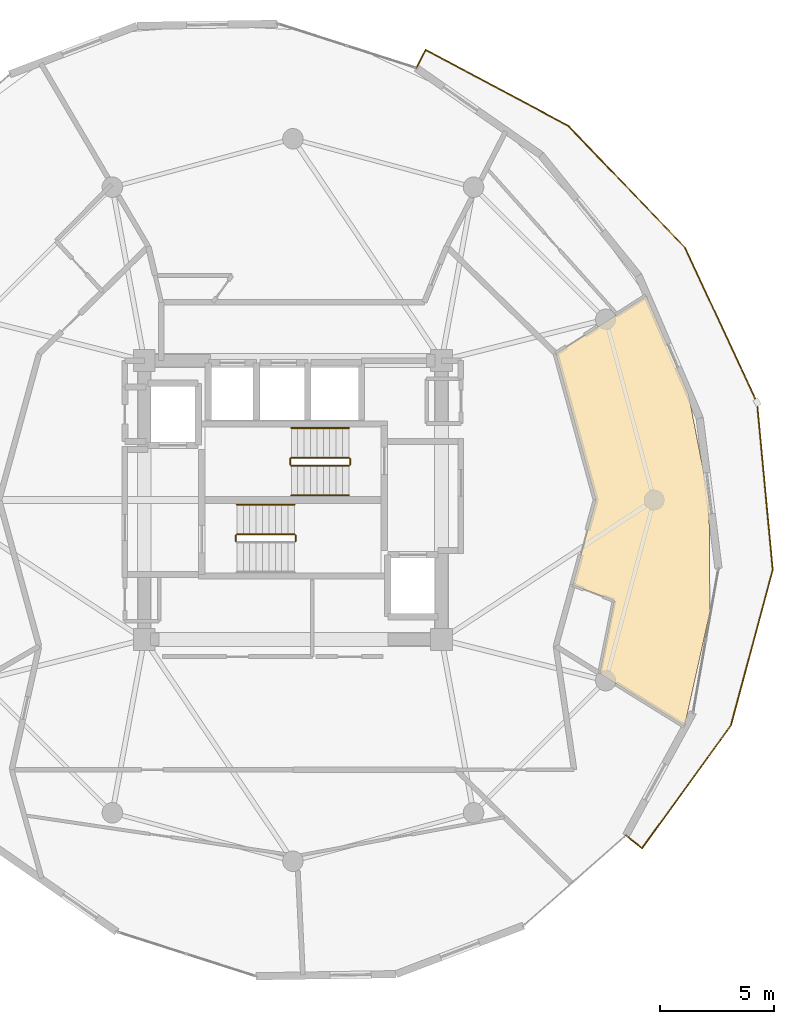
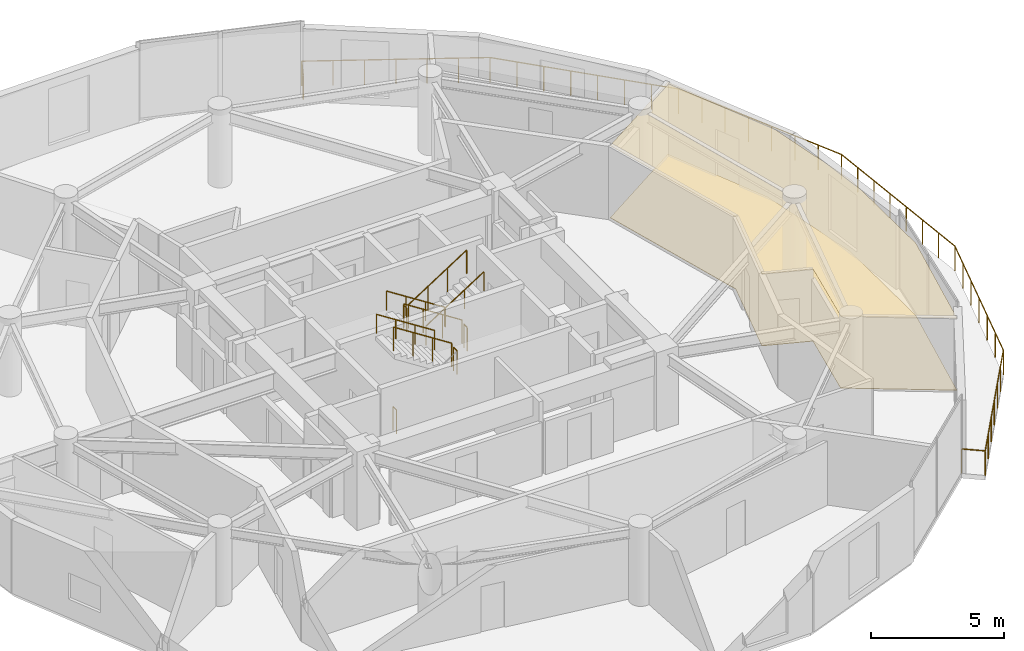
# One storey, part 17 of 18: 11 railings, 2 coverings.
"""IFC4 building model written with IfcOpenShell, lengths in metres."""

from ifc_helpers import new_model, si_unit, direction, frame, origin, origin_2d, place, context, subcontext, project, spatial, polyline, circle, outline, extrude, material, layer, layer_set, type_object, element, save


model = new_model("IFC4")

# Units and contexts
model_context = context("Model", 3, precision=1e-05, world=origin(), true_north=direction((0.0, 1.0)))
body_context = subcontext(model_context, "Body", "Model", "MODEL_VIEW")
ifc_project = project(units=[si_unit("LENGTHUNIT", "METRE"), si_unit("AREAUNIT", "SQUARE_METRE"), si_unit("VOLUMEUNIT", "CUBIC_METRE"), si_unit("PLANEANGLEUNIT", "RADIAN"), si_unit("MASSUNIT", "GRAM", prefix="KILO")], contexts=[model_context])

# Site, building, storey
site_placement = place(None, origin())
site = spatial("IfcSite", under=ifc_project, at=site_placement, CompositionType="ELEMENT")
building_placement = place(site_placement, origin())
building = spatial("IfcBuilding", under=site, at=building_placement, Name="Solvirekh Grand Hotel", CompositionType="ELEMENT")
storey_placement = place(building_placement, frame((0.0, 0.0, 187.60009765625)))
storey = spatial("IfcBuildingStorey", under=building, at=storey_placement, Name="L48", CompositionType="ELEMENT", Elevation=187.60009765625)

# Coverings
ifc_material_1 = material(Name="Acoustic Mineral Ceiling Tile")
ifc_layer_1 = layer(ifc_material_1, 0.02490234375)
ifc_layer_set_1 = layer_set([ifc_layer_1], Name="Acoustic Mineral Ceiling Tile")
covering_type_1 = type_object("IfcCoveringType", Name="Cov_Ceiling_Acoustic", PredefinedType="CEILING", material=ifc_layer_set_1)
covering_1_placement = place(storey_placement, frame((0.0, 0.0, 3.309814453125)))
element("IfcCovering", 1, at=covering_1_placement, inside=storey, type_object=covering_type_1, Name="L48 Diplomatic Suite 5003 Living Room acoustic ceiling", PredefinedType="CEILING", context=body_context, shape_type="SweptSolid", body=[
    extrude(outline(polyline([(14.052978515625, -4.40087890625), (13.416015625, -7.5869140625), (17.132080078125, -9.89111328125), (18.242919921875, -4.887939453125), (18.201904296875, 0.0), (17.299072265625, 4.635009765625), (15.45703125, 8.924072265625), (11.501953125, 6.39990234375), (13.25, 0.0), (12.236083984375, -3.7119140625), (14.052978515625, -4.40087890625)])), origin(), (0.0, 0.0, 1.0), 0.01806640625),
])
ifc_material_2 = material(Name="Porcelain Stoneware Flooring", Category="masonry")
ifc_layer_2 = layer(ifc_material_2, 0.030029296875)
ifc_layer_set_2 = layer_set([ifc_layer_2], Name="Porcelain Stoneware Flooring")
covering_type_2 = type_object("IfcCoveringType", Name="Cov_Floor_Stone", PredefinedType="FLOORING", material=ifc_layer_set_2)
covering_2_placement = place(storey_placement, origin())
element("IfcCovering", 2, at=covering_2_placement, inside=storey, type_object=covering_type_2, Name="L48 Diplomatic Suite 5003 Living Room polished granite flooring", PredefinedType="FLOORING", context=body_context, shape_type="SweptSolid", body=[
    extrude(outline(polyline([(14.052978515625, -4.40087890625), (13.416015625, -7.5869140625), (17.132080078125, -9.89111328125), (18.242919921875, -4.887939453125), (18.201904296875, 0.0), (17.299072265625, 4.635009765625), (15.45703125, 8.924072265625), (11.501953125, 6.39990234375), (13.25, 0.0), (12.236083984375, -3.7119140625), (14.052978515625, -4.40087890625)])), origin(), (0.0, 0.0, 1.0), 0.02001953125),
])

# Railings
ifc_material_3 = material(Name="Anodized Bronze Aluminium 6063-T6", Category="aluminium")
railing_type_1 = type_object("IfcRailingType", Name="Guard_ExtGlass_1150", PredefinedType="BALUSTRADE", material=ifc_material_3)
railing_1_placement = place(storey_placement, frame((14.56689453125, -14.674072265625, 0.0)))
element("IfcRailing", 3, at=railing_1_placement, inside=storey, type_object=railing_type_1, Name="L48 balc perimeter glass balustrade", PredefinedType="BALUSTRADE", context=body_context, shape_type="SweptSolid", body=[
    extrude(circle(Radius=0.02392578125, at=origin_2d()), frame((0.0, 0.0, 1.1259765625), z_axis=(0.783165224185, -0.621813663108, 0.0), x_axis=(0.621813663108, 0.783165224185, 0.0)), (0.0, 0.0, 1.0), 0.900390625),
    extrude(circle(Radius=0.02392578125, at=origin_2d()), frame((0.705078125, -0.559814453125, 1.1259765625), z_axis=(0.586328142972, 0.810073644034, 0.0), x_axis=(-0.810073644034, 0.586328142972, 0.0)), (0.0, 0.0, 1.0), 6.627685546875),
    extrude(circle(Radius=0.02392578125, at=origin_2d()), frame((4.591064453125, 4.80908203125, 1.1259765625), z_axis=(0.259454584039, 0.965755310014, 0.0), x_axis=(-0.965755310014, 0.259454584039, 0.0)), (0.0, 0.0, 1.0), 7.053466796875),
    extrude(circle(Radius=0.02392578125, at=origin_2d()), frame((6.421142578125, 11.62109375, 1.1259765625), z_axis=(-0.093405488132, 0.995628150861, 0.0), x_axis=(-0.995628150861, -0.093405488132, 0.0)), (0.0, 0.0, 1.0), 7.355224609375),
    extrude(circle(Radius=0.02392578125, at=origin_2d()), frame((5.734130859375, 18.944091796875, 1.1259765625), z_axis=(-0.422111041808, 0.906544134824, 0.0), x_axis=(-0.906544134824, -0.422111041808, 0.0)), (0.0, 0.0, 1.0), 7.474365234375),
    extrude(circle(Radius=0.02392578125, at=origin_2d()), frame((2.5791015625, 25.719970703125, 1.1259765625), z_axis=(-0.692026091459, 0.721872487868, 0.0), x_axis=(-0.721872487868, -0.692026091459, 0.0)), (0.0, 0.0, 1.0), 7.378173828125),
    extrude(circle(Radius=0.02392578125, at=origin_2d()), frame((-2.52685546875, 31.046142578125, 1.1259765625), z_axis=(-0.882611981308, 0.470102212771, 0.0), x_axis=(-0.470102212771, -0.882611981308, 0.0)), (0.0, 0.0, 1.0), 7.066650390625),
    extrude(circle(Radius=0.02392578125, at=origin_2d()), frame((-8.763916015625, 34.3681640625, 1.1259765625), z_axis=(-0.44569292511, -0.8951859117, 0.0), x_axis=(0.8951859117, -0.44569292511, 0.0)), (0.0, 0.0, 1.0), 0.8994140625),
    extrude(circle(Radius=0.02099609375, at=origin_2d()), origin(), (0.0, 0.0, 1.0), 1.101806640625),
    extrude(circle(Radius=0.02099609375, at=origin_2d()), frame((0.705078125, -0.559814453125, 0.0)), (0.0, 0.0, 1.0), 1.101806640625),
    extrude(circle(Radius=0.02099609375, at=origin_2d()), frame((1.352783203125, 0.3349609375, 0.0)), (0.0, 0.0, 1.0), 1.101806640625),
    extrude(circle(Radius=0.02099609375, at=origin_2d()), frame((2.00048828125, 1.229736328125, 0.0)), (0.0, 0.0, 1.0), 1.101806640625),
    extrude(circle(Radius=0.02099609375, at=origin_2d()), frame((2.64794921875, 2.12451171875, 0.0)), (0.0, 0.0, 1.0), 1.101806640625),
    extrude(circle(Radius=0.02099609375, at=origin_2d()), frame((3.295654296875, 3.01953125, 0.0)), (0.0, 0.0, 1.0), 1.101806640625),
    extrude(circle(Radius=0.02099609375, at=origin_2d()), frame((3.943359375, 3.914306640625, 0.0)), (0.0, 0.0, 1.0), 1.101806640625),
    extrude(circle(Radius=0.02099609375, at=origin_2d()), frame((4.591064453125, 4.80908203125, 0.0)), (0.0, 0.0, 1.0), 1.101806640625),
    extrude(circle(Radius=0.02099609375, at=origin_2d()), frame((4.89599609375, 5.9443359375, 0.0)), (0.0, 0.0, 1.0), 1.101806640625),
    extrude(circle(Radius=0.02099609375, at=origin_2d()), frame((5.201171875, 7.079833984375, 0.0)), (0.0, 0.0, 1.0), 1.101806640625),
    extrude(circle(Radius=0.02099609375, at=origin_2d()), frame((5.506103515625, 8.215087890625, 0.0)), (0.0, 0.0, 1.0), 1.101806640625),
    extrude(circle(Radius=0.02099609375, at=origin_2d()), frame((5.81103515625, 9.350341796875, 0.0)), (0.0, 0.0, 1.0), 1.101806640625),
    extrude(circle(Radius=0.02099609375, at=origin_2d()), frame((6.1162109375, 10.48583984375, 0.0)), (0.0, 0.0, 1.0), 1.101806640625),
    extrude(circle(Radius=0.02099609375, at=origin_2d()), frame((6.421142578125, 11.62109375, 0.0)), (0.0, 0.0, 1.0), 1.101806640625),
    extrude(circle(Radius=0.02099609375, at=origin_2d()), frame((6.322998046875, 12.667236328125, 0.0)), (0.0, 0.0, 1.0), 1.101806640625),
    extrude(circle(Radius=0.02099609375, at=origin_2d()), frame((6.224853515625, 13.71337890625, 0.0)), (0.0, 0.0, 1.0), 1.101806640625),
    extrude(circle(Radius=0.02099609375, at=origin_2d()), frame((6.126708984375, 14.759521484375, 0.0)), (0.0, 0.0, 1.0), 1.101806640625),
    extrude(circle(Radius=0.02099609375, at=origin_2d()), frame((6.028564453125, 15.8056640625, 0.0)), (0.0, 0.0, 1.0), 1.101806640625),
    extrude(circle(Radius=0.02099609375, at=origin_2d()), frame((5.930419921875, 16.851806640625, 0.0)), (0.0, 0.0, 1.0), 1.101806640625),
    extrude(circle(Radius=0.02099609375, at=origin_2d()), frame((5.832275390625, 17.89794921875, 0.0)), (0.0, 0.0, 1.0), 1.101806640625),
    extrude(circle(Radius=0.02099609375, at=origin_2d()), frame((5.734130859375, 18.944091796875, 0.0)), (0.0, 0.0, 1.0), 1.101806640625),
    extrude(circle(Radius=0.02099609375, at=origin_2d()), frame((5.283447265625, 19.912109375, 0.0)), (0.0, 0.0, 1.0), 1.101806640625),
    extrude(circle(Radius=0.02099609375, at=origin_2d()), frame((4.832763671875, 20.880126953125, 0.0)), (0.0, 0.0, 1.0), 1.101806640625),
    extrude(circle(Radius=0.02099609375, at=origin_2d()), frame((4.382080078125, 21.84814453125, 0.0)), (0.0, 0.0, 1.0), 1.101806640625),
    extrude(circle(Radius=0.02099609375, at=origin_2d()), frame((3.93115234375, 22.81591796875, 0.0)), (0.0, 0.0, 1.0), 1.101806640625),
    extrude(circle(Radius=0.02099609375, at=origin_2d()), frame((3.48046875, 23.783935546875, 0.0)), (0.0, 0.0, 1.0), 1.101806640625),
    extrude(circle(Radius=0.02099609375, at=origin_2d()), frame((3.02978515625, 24.751953125, 0.0)), (0.0, 0.0, 1.0), 1.101806640625),
    extrude(circle(Radius=0.02099609375, at=origin_2d()), frame((2.5791015625, 25.719970703125, 0.0)), (0.0, 0.0, 1.0), 1.101806640625),
    extrude(circle(Radius=0.02099609375, at=origin_2d()), frame((1.849609375, 26.48095703125, 0.0)), (0.0, 0.0, 1.0), 1.101806640625),
    extrude(circle(Radius=0.02099609375, at=origin_2d()), frame((1.120361328125, 27.24169921875, 0.0)), (0.0, 0.0, 1.0), 1.101806640625),
    extrude(circle(Radius=0.02099609375, at=origin_2d()), frame((0.390869140625, 28.002685546875, 0.0)), (0.0, 0.0, 1.0), 1.101806640625),
    extrude(circle(Radius=0.02099609375, at=origin_2d()), frame((-0.338623046875, 28.763427734375, 0.0)), (0.0, 0.0, 1.0), 1.101806640625),
    extrude(circle(Radius=0.02099609375, at=origin_2d()), frame((-1.068115234375, 29.5244140625, 0.0)), (0.0, 0.0, 1.0), 1.101806640625),
    extrude(circle(Radius=0.02099609375, at=origin_2d()), frame((-1.79736328125, 30.28515625, 0.0)), (0.0, 0.0, 1.0), 1.101806640625),
    extrude(circle(Radius=0.02099609375, at=origin_2d()), frame((-2.52685546875, 31.046142578125, 0.0)), (0.0, 0.0, 1.0), 1.101806640625),
    extrude(circle(Radius=0.02099609375, at=origin_2d()), frame((-3.56640625, 31.599853515625, 0.0)), (0.0, 0.0, 1.0), 1.101806640625),
    extrude(circle(Radius=0.02099609375, at=origin_2d()), frame((-4.60595703125, 32.153564453125, 0.0)), (0.0, 0.0, 1.0), 1.101806640625),
    extrude(circle(Radius=0.02099609375, at=origin_2d()), frame((-5.6455078125, 32.70703125, 0.0)), (0.0, 0.0, 1.0), 1.101806640625),
    extrude(circle(Radius=0.02099609375, at=origin_2d()), frame((-6.684814453125, 33.2607421875, 0.0)), (0.0, 0.0, 1.0), 1.101806640625),
    extrude(circle(Radius=0.02099609375, at=origin_2d()), frame((-7.724365234375, 33.814453125, 0.0)), (0.0, 0.0, 1.0), 1.101806640625),
    extrude(circle(Radius=0.02099609375, at=origin_2d()), frame((-8.763916015625, 34.3681640625, 0.0)), (0.0, 0.0, 1.0), 1.101806640625),
    extrude(circle(Radius=0.02099609375, at=origin_2d()), frame((-9.164794921875, 33.56298828125, 0.0)), (0.0, 0.0, 1.0), 1.101806640625),
])
ifc_material_4 = material(Name="Steel S355", Category="steel")
railing_type_2 = type_object("IfcRailingType", Name="Guard_Stair_1100", PredefinedType="GUARDRAIL", material=ifc_material_4)
railing_2_placement = place(storey_placement, frame((0.1201171875, -1.800048828125, 1.7998046875)))
element("IfcRailing", 4, at=railing_2_placement, inside=storey, type_object=railing_type_2, Name="L48 ST-1 stair guard 2", PredefinedType="GUARDRAIL", context=body_context, shape_type="SweptSolid", body=[
    extrude(circle(Radius=0.02392578125, at=origin_2d()), frame((0.0, 0.0, 1.076171875), z_axis=(0.0, 1.0, 0.0), x_axis=(-1.0, 0.0, 0.0)), (0.0, 0.0, 1.0), 0.25),
    extrude(circle(Radius=0.02099609375, at=origin_2d()), origin(), (0.0, 0.0, 1.0), 1.052001953125),
    extrude(circle(Radius=0.02099609375, at=origin_2d()), frame((0.0, 0.25, 0.0)), (0.0, 0.0, 1.0), 1.052001953125),
])
railing_3_placement = place(storey_placement, frame((0.070068359375, -1.5, 1.97998046875)))
element("IfcRailing", 5, at=railing_3_placement, inside=storey, type_object=railing_type_2, Name="L48 ST-1 stair guard 3", PredefinedType="GUARDRAIL", context=body_context, shape_type="SweptSolid", body=[
    extrude(circle(Radius=0.02392578125, at=origin_2d()), frame((0.0, 0.0, 1.076171875), z_axis=(-0.841199657755, 0.0, 0.540724639528), x_axis=(0.0, -1.0, 0.0)), (0.0, 0.0, 1.0), 2.995849609375),
    extrude(circle(Radius=0.02099609375, at=origin_2d()), origin(), (0.0, 0.0, 1.0), 1.052001953125),
    extrude(circle(Radius=0.02099609375, at=origin_2d()), frame((-0.840087890625, 0.0, 0.5400390625)), (0.0, 0.0, 1.0), 1.052001953125),
    extrude(circle(Radius=0.02099609375, at=origin_2d()), frame((-1.679931640625, 0.0, 1.079833984375)), (0.0, 0.0, 1.0), 1.052001953125),
    extrude(circle(Radius=0.02099609375, at=origin_2d()), frame((-2.52001953125, 0.0, 1.619873046875)), (0.0, 0.0, 1.0), 1.052001953125),
])
railing_4_placement = place(storey_placement, frame((-2.5, -1.800048828125, 0.0)))
element("IfcRailing", 6, at=railing_4_placement, inside=storey, type_object=railing_type_2, Name="L48 ST-1 stair guard 4", PredefinedType="GUARDRAIL", context=body_context, shape_type="SweptSolid", body=[
    extrude(circle(Radius=0.02392578125, at=origin_2d()), frame((0.0, 0.0, 1.076171875), z_axis=(0.0, 1.0, 0.0), x_axis=(-1.0, 0.0, 0.0)), (0.0, 0.0, 1.0), 0.25),
    extrude(circle(Radius=0.02099609375, at=origin_2d()), origin(), (0.0, 0.0, 1.0), 1.052001953125),
    extrude(circle(Radius=0.02099609375, at=origin_2d()), frame((0.0, 0.25, 0.0)), (0.0, 0.0, 1.0), 1.052001953125),
])
railing_5_placement = place(storey_placement, frame((2.449951171875, 1.85009765625, 0.179931640625)))
element("IfcRailing", 7, at=railing_5_placement, inside=storey, type_object=railing_type_2, Name="L48 ST-2 stair guard 1", PredefinedType="GUARDRAIL", context=body_context, shape_type="SweptSolid", body=[
    extrude(circle(Radius=0.02392578125, at=origin_2d()), frame((0.0, 0.0, 1.076171875), z_axis=(-0.841199657755, 0.0, 0.540724639528), x_axis=(0.0, -1.0, 0.0)), (0.0, 0.0, 1.0), 2.995849609375),
    extrude(circle(Radius=0.02099609375, at=origin_2d()), origin(), (0.0, 0.0, 1.0), 1.052001953125),
    extrude(circle(Radius=0.02099609375, at=origin_2d()), frame((-0.840087890625, 0.0, 0.5400390625)), (0.0, 0.0, 1.0), 1.052001953125),
    extrude(circle(Radius=0.02099609375, at=origin_2d()), frame((-1.679931640625, 0.0, 1.079833984375)), (0.0, 0.0, 1.0), 1.052001953125),
    extrude(circle(Radius=0.02099609375, at=origin_2d()), frame((-2.52001953125, 0.0, 1.619873046875)), (0.0, 0.0, 1.0), 1.052001953125),
])
railing_6_placement = place(storey_placement, frame((-0.1201171875, 1.800048828125, 1.7998046875)))
element("IfcRailing", 8, at=railing_6_placement, inside=storey, type_object=railing_type_2, Name="L48 ST-2 stair guard 2", PredefinedType="GUARDRAIL", context=body_context, shape_type="SweptSolid", body=[
    extrude(circle(Radius=0.02392578125, at=origin_2d()), frame((0.0, 0.0, 1.076171875), z_axis=(0.0, -1.0, 0.0), x_axis=(1.0, 0.0, 0.0)), (0.0, 0.0, 1.0), 0.25),
    extrude(circle(Radius=0.02099609375, at=origin_2d()), origin(), (0.0, 0.0, 1.0), 1.052001953125),
    extrude(circle(Radius=0.02099609375, at=origin_2d()), frame((0.0, -0.25, 0.0)), (0.0, 0.0, 1.0), 1.052001953125),
])
railing_7_placement = place(storey_placement, frame((-0.070068359375, 1.5, 1.97998046875)))
element("IfcRailing", 9, at=railing_7_placement, inside=storey, type_object=railing_type_2, Name="L48 ST-2 stair guard 3", PredefinedType="GUARDRAIL", context=body_context, shape_type="SweptSolid", body=[
    extrude(circle(Radius=0.02392578125, at=origin_2d()), frame((0.0, 0.0, 1.076171875), z_axis=(0.841199657755, 0.0, 0.540724639528), x_axis=(0.0, 1.0, 0.0)), (0.0, 0.0, 1.0), 2.995849609375),
    extrude(circle(Radius=0.02099609375, at=origin_2d()), origin(), (0.0, 0.0, 1.0), 1.052001953125),
    extrude(circle(Radius=0.02099609375, at=origin_2d()), frame((0.840087890625, 0.0, 0.5400390625)), (0.0, 0.0, 1.0), 1.052001953125),
    extrude(circle(Radius=0.02099609375, at=origin_2d()), frame((1.679931640625, 0.0, 1.079833984375)), (0.0, 0.0, 1.0), 1.052001953125),
    extrude(circle(Radius=0.02099609375, at=origin_2d()), frame((2.52001953125, 0.0, 1.619873046875)), (0.0, 0.0, 1.0), 1.052001953125),
])
railing_8_placement = place(storey_placement, frame((2.5, 1.800048828125, 0.0)))
element("IfcRailing", 10, at=railing_8_placement, inside=storey, type_object=railing_type_2, Name="L48 ST-2 stair guard 4", PredefinedType="GUARDRAIL", context=body_context, shape_type="SweptSolid", body=[
    extrude(circle(Radius=0.02392578125, at=origin_2d()), frame((0.0, 0.0, 1.076171875), z_axis=(0.0, -1.0, 0.0), x_axis=(1.0, 0.0, 0.0)), (0.0, 0.0, 1.0), 0.25),
    extrude(circle(Radius=0.02099609375, at=origin_2d()), origin(), (0.0, 0.0, 1.0), 1.052001953125),
    extrude(circle(Radius=0.02099609375, at=origin_2d()), frame((0.0, -0.25, 0.0)), (0.0, 0.0, 1.0), 1.052001953125),
])
railing_type_3 = type_object("IfcRailingType", Name="Handrail_Wall_900", PredefinedType="HANDRAIL", material=ifc_material_3)
for number, where, name in (
    (11, (0.070068359375, -0.199951171875, 1.97998046875), "L48 ST-1 stair handrail 2"),
    (12, (2.449951171875, 3.14990234375, 0.179931640625), "L48 ST-2 stair handrail 1"),
):
    element("IfcRailing", number, at=place(storey_placement, frame(where)), inside=storey, type_object=railing_type_3, Name=name, PredefinedType="HANDRAIL", context=body_context, shape_type="SweptSolid", body=[
        extrude(circle(Radius=0.02392578125, at=origin_2d()), frame((0.0, 0.0, 0.8759765625), z_axis=(-0.841199657755, 0.0, 0.540724639528), x_axis=(0.0, -1.0, 0.0)), (0.0, 0.0, 1.0), 2.995849609375),
        extrude(circle(Radius=0.02099609375, at=origin_2d()), origin(), (0.0, 0.0, 1.0), 0.851806640625),
        extrude(circle(Radius=0.02099609375, at=origin_2d()), frame((-0.840087890625, 0.0, 0.5400390625)), (0.0, 0.0, 1.0), 0.851806640625),
        extrude(circle(Radius=0.02099609375, at=origin_2d()), frame((-1.679931640625, 0.0, 1.079833984375)), (0.0, 0.0, 1.0), 0.851806640625),
        extrude(circle(Radius=0.02099609375, at=origin_2d()), frame((-2.52001953125, 0.0, 1.619873046875)), (0.0, 0.0, 1.0), 0.851806640625),
    ])
railing_9_placement = place(storey_placement, frame((-0.070068359375, 0.199951171875, 1.97998046875)))
element("IfcRailing", 13, at=railing_9_placement, inside=storey, type_object=railing_type_3, Name="L48 ST-2 stair handrail 2", PredefinedType="HANDRAIL", context=body_context, shape_type="SweptSolid", body=[
    extrude(circle(Radius=0.02392578125, at=origin_2d()), frame((0.0, 0.0, 0.8759765625), z_axis=(0.841199657755, 0.0, 0.540724639528), x_axis=(0.0, 1.0, 0.0)), (0.0, 0.0, 1.0), 2.995849609375),
    extrude(circle(Radius=0.02099609375, at=origin_2d()), origin(), (0.0, 0.0, 1.0), 0.851806640625),
    extrude(circle(Radius=0.02099609375, at=origin_2d()), frame((0.840087890625, 0.0, 0.5400390625)), (0.0, 0.0, 1.0), 0.851806640625),
    extrude(circle(Radius=0.02099609375, at=origin_2d()), frame((1.679931640625, 0.0, 1.079833984375)), (0.0, 0.0, 1.0), 0.851806640625),
    extrude(circle(Radius=0.02099609375, at=origin_2d()), frame((2.52001953125, 0.0, 1.619873046875)), (0.0, 0.0, 1.0), 0.851806640625),
])

save(model, "model.ifc")
